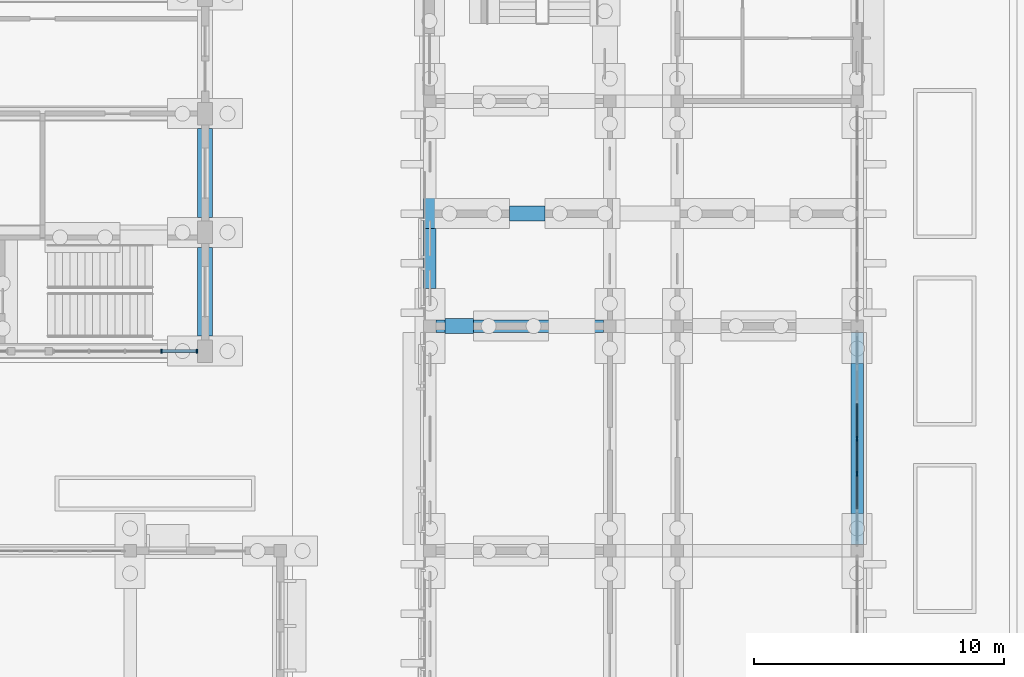
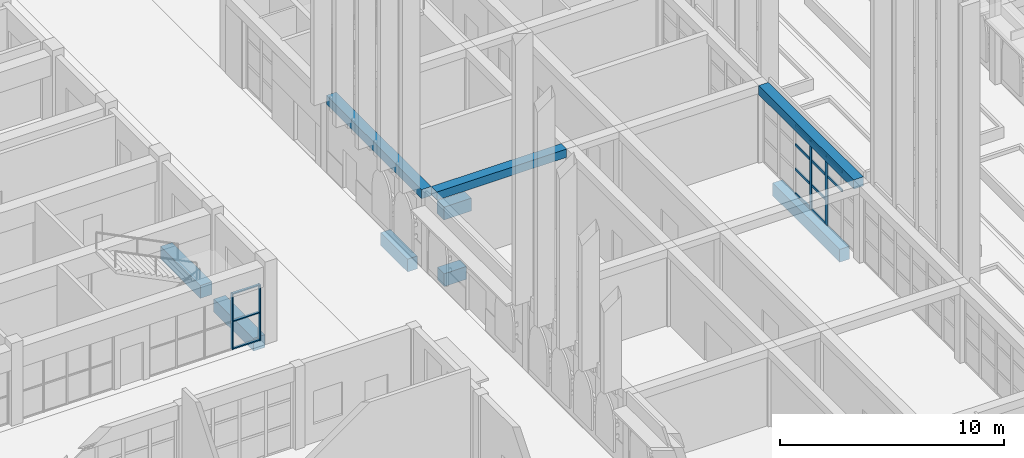
# One storey, part 25 of 161: 17 members, 9 beams, 2 elements without a shape of their own.
"""IFC4 building model written with IfcOpenShell, lengths in metres."""

from ifc_helpers import new_model, si_unit, direction, frame, origin, origin_2d, place, context, subcontext, project, spatial, rectangle, extrude, material, layer, layer_set, material_profile, profile_set, type_object, element, aggregate, save


model = new_model("IFC4")

# Units and contexts
model_context = context("Model", 3, precision=1e-05, world=origin(), true_north=direction((0.0, 1.0)))
body_context = subcontext(model_context, "Body", "Model", "MODEL_VIEW")
ifc_project = project(units=[si_unit("LENGTHUNIT", "METRE"), si_unit("AREAUNIT", "SQUARE_METRE"), si_unit("VOLUMEUNIT", "CUBIC_METRE"), si_unit("PLANEANGLEUNIT", "RADIAN"), si_unit("MASSUNIT", "GRAM", prefix="KILO")], contexts=[model_context])

# Site, building, storey
site_placement = place(None, origin())
site = spatial("IfcSite", under=ifc_project, at=site_placement, CompositionType="ELEMENT")
building_placement = place(site_placement, origin())
building = spatial("IfcBuilding", under=site, at=building_placement, Name="Elbe Cascade School", CompositionType="ELEMENT")
storey_placement = place(building_placement, origin())
storey = spatial("IfcBuildingStorey", under=building, at=storey_placement, Name="L00", CompositionType="ELEMENT", Elevation=0.0)

# Curtain wall, members
ifc_material_1 = material(Name="Aluminium frame with double glazing, bronze anodised", Category="aluminium")
ifc_layer = layer(ifc_material_1, 0.199951171875)
ifc_layer_set = layer_set([ifc_layer], Name="Aluminium frame with double glazing, bronze anodised")
curtain_wall_type_1 = type_object("IfcCurtainWallType", Name="Bars envelope Curtain wall, aluminium, bronze anodised, ground floor tall run", PredefinedType="NOTDEFINED", material=ifc_layer_set)
curtain_wall_1_placement = place(storey_placement, origin())
curtain_wall_1 = element("IfcCurtainWall", 1, at=curtain_wall_1_placement, inside=storey, type_object=curtain_wall_type_1, Name="Curtain wall CW3 A.L00.e4", PredefinedType="NOTDEFINED")
ifc_material_2 = material(Name="Aluminium mullion, bronze anodised", Category="aluminium")
ifc_material_profile_1 = material_profile(ifc_material_2, rectangle(XDim=0.06005859375, YDim=0.199951171875, at=origin_2d()), Name="Bars envelope Curtain wall mullion 60 x 200, aluminium, ground floor tall run")
ifc_profile_set_1 = profile_set([ifc_material_profile_1], Name="Aluminium mullion, bronze anodised")
member_type_1 = type_object("IfcMemberType", Name="Bars envelope Curtain wall mullion 60 x 200, aluminium, ground floor tall run", PredefinedType="MULLION", material=ifc_profile_set_1)
member_1_placement = place(storey_placement, frame((86.10009765625, 37.5, 0.0), z_axis=(0.0, 0.0, 1.0), x_axis=(1.0, 0.0, 0.0)))
member_1 = element("IfcMember", 2, at=member_1_placement, type_object=member_type_1, Name="CW3 mullion 4", PredefinedType="MULLION", context=body_context, shape_type="SweptSolid", body=[
    extrude(rectangle(XDim=0.06005859375, YDim=0.199951171875, at=origin_2d()), origin(), (0.0, 0.0, 1.0), 3.75),
])
member_2_placement = place(storey_placement, frame((86.10009765625, 36.083251953125, 0.0), z_axis=(0.0, 0.0, 1.0), x_axis=(1.0, 0.0, 0.0)))
member_2 = element("IfcMember", 3, at=member_2_placement, type_object=member_type_1, Name="CW3 mullion 5", PredefinedType="MULLION", context=body_context, shape_type="SweptSolid", body=[
    extrude(rectangle(XDim=0.06005859375, YDim=0.199951171875, at=origin_2d()), origin(), (0.0, 0.0, 1.0), 3.75),
])
ifc_material_3 = material(Name="Aluminium transom, bronze anodised", Category="aluminium")
ifc_material_profile_2 = material_profile(ifc_material_3, rectangle(XDim=0.06005859375, YDim=0.139892578125, at=origin_2d()), Name="Bars envelope Curtain wall transom 60 x 140, aluminium, ground floor tall run")
ifc_profile_set_2 = profile_set([ifc_material_profile_2], Name="Aluminium transom, bronze anodised")
member_type_2 = type_object("IfcMemberType", Name="Bars envelope Curtain wall transom 60 x 140, aluminium, ground floor tall run", PredefinedType="USERDEFINED", material=ifc_profile_set_2)
member_3_placement = place(storey_placement, frame((86.10009765625, 38.88671875, 0.030029296875), z_axis=(0.0, -1.0, 0.0), x_axis=(1.0, 0.0, 0.0)))
member_3 = element("IfcMember", 4, at=member_3_placement, type_object=member_type_2, Name="CW3 transom 3.1", ObjectType="TRANSOM", PredefinedType="USERDEFINED", context=body_context, shape_type="SweptSolid", body=[
    extrude(rectangle(XDim=0.06005859375, YDim=0.139892578125, at=origin_2d()), origin(), (0.0, 0.0, 1.0), 1.356689453125),
])
member_4_placement = place(storey_placement, frame((86.10009765625, 38.88671875, 1.35009765625), z_axis=(0.0, -1.0, 0.0), x_axis=(1.0, 0.0, 0.0)))
member_4 = element("IfcMember", 5, at=member_4_placement, type_object=member_type_2, Name="CW3 transom 3.2", ObjectType="TRANSOM", PredefinedType="USERDEFINED", context=body_context, shape_type="SweptSolid", body=[
    extrude(rectangle(XDim=0.06005859375, YDim=0.139892578125, at=origin_2d()), origin(), (0.0, 0.0, 1.0), 1.356689453125),
])
member_5_placement = place(storey_placement, frame((86.10009765625, 38.88671875, 2.699951171875), z_axis=(0.0, -1.0, 0.0), x_axis=(1.0, 0.0, 0.0)))
member_5 = element("IfcMember", 6, at=member_5_placement, type_object=member_type_2, Name="CW3 transom 3.3", ObjectType="TRANSOM", PredefinedType="USERDEFINED", context=body_context, shape_type="SweptSolid", body=[
    extrude(rectangle(XDim=0.06005859375, YDim=0.139892578125, at=origin_2d()), origin(), (0.0, 0.0, 1.0), 1.356689453125),
])
member_6_placement = place(storey_placement, frame((86.10009765625, 38.88671875, 3.719970703125), z_axis=(0.0, -1.0, 0.0), x_axis=(1.0, 0.0, 0.0)))
member_6 = element("IfcMember", 7, at=member_6_placement, type_object=member_type_2, Name="CW3 transom 3.4", ObjectType="TRANSOM", PredefinedType="USERDEFINED", context=body_context, shape_type="SweptSolid", body=[
    extrude(rectangle(XDim=0.06005859375, YDim=0.139892578125, at=origin_2d()), origin(), (0.0, 0.0, 1.0), 1.356689453125),
])
member_7_placement = place(storey_placement, frame((86.10009765625, 37.469970703125, 0.030029296875), z_axis=(0.0, -1.0, 0.0), x_axis=(1.0, 0.0, 0.0)))
member_7 = element("IfcMember", 8, at=member_7_placement, type_object=member_type_2, Name="CW3 transom 4.1", ObjectType="TRANSOM", PredefinedType="USERDEFINED", context=body_context, shape_type="SweptSolid", body=[
    extrude(rectangle(XDim=0.06005859375, YDim=0.139892578125, at=origin_2d()), origin(), (0.0, 0.0, 1.0), 1.356689453125),
])
member_8_placement = place(storey_placement, frame((86.10009765625, 37.469970703125, 1.35009765625), z_axis=(0.0, -1.0, 0.0), x_axis=(1.0, 0.0, 0.0)))
member_8 = element("IfcMember", 9, at=member_8_placement, type_object=member_type_2, Name="CW3 transom 4.2", ObjectType="TRANSOM", PredefinedType="USERDEFINED", context=body_context, shape_type="SweptSolid", body=[
    extrude(rectangle(XDim=0.06005859375, YDim=0.139892578125, at=origin_2d()), origin(), (0.0, 0.0, 1.0), 1.356689453125),
])
member_9_placement = place(storey_placement, frame((86.10009765625, 37.469970703125, 2.699951171875), z_axis=(0.0, -1.0, 0.0), x_axis=(1.0, 0.0, 0.0)))
member_9 = element("IfcMember", 10, at=member_9_placement, type_object=member_type_2, Name="CW3 transom 4.3", ObjectType="TRANSOM", PredefinedType="USERDEFINED", context=body_context, shape_type="SweptSolid", body=[
    extrude(rectangle(XDim=0.06005859375, YDim=0.139892578125, at=origin_2d()), origin(), (0.0, 0.0, 1.0), 1.356689453125),
])
member_10_placement = place(storey_placement, frame((86.10009765625, 37.469970703125, 3.719970703125), z_axis=(0.0, -1.0, 0.0), x_axis=(1.0, 0.0, 0.0)))
member_10 = element("IfcMember", 11, at=member_10_placement, type_object=member_type_2, Name="CW3 transom 4.4", ObjectType="TRANSOM", PredefinedType="USERDEFINED", context=body_context, shape_type="SweptSolid", body=[
    extrude(rectangle(XDim=0.06005859375, YDim=0.139892578125, at=origin_2d()), origin(), (0.0, 0.0, 1.0), 1.356689453125),
])
member_11_placement = place(storey_placement, frame((86.10009765625, 36.05322265625, 2.699951171875), z_axis=(0.0, -1.0, 0.0), x_axis=(1.0, 0.0, 0.0)))
member_11 = element("IfcMember", 12, at=member_11_placement, type_object=member_type_2, Name="CW3 transom 5.3", ObjectType="TRANSOM", PredefinedType="USERDEFINED", context=body_context, shape_type="SweptSolid", body=[
    extrude(rectangle(XDim=0.06005859375, YDim=0.139892578125, at=origin_2d()), origin(), (0.0, 0.0, 1.0), 1.3564453125),
])
member_12_placement = place(storey_placement, frame((86.10009765625, 36.05322265625, 3.719970703125), z_axis=(0.0, -1.0, 0.0), x_axis=(1.0, 0.0, 0.0)))
member_12 = element("IfcMember", 13, at=member_12_placement, type_object=member_type_2, Name="CW3 transom 5.4", ObjectType="TRANSOM", PredefinedType="USERDEFINED", context=body_context, shape_type="SweptSolid", body=[
    extrude(rectangle(XDim=0.06005859375, YDim=0.139892578125, at=origin_2d()), origin(), (0.0, 0.0, 1.0), 1.3564453125),
])
aggregate(curtain_wall_1, [member_1, member_2, member_3, member_4, member_5, member_6, member_7, member_8, member_9, member_10, member_11, member_12])

# Beams
ifc_material_4 = material(Name="Concrete C30/37", Category="concrete")
ifc_material_profile_3 = material_profile(ifc_material_4, rectangle(XDim=0.5, YDim=0.699951171875, at=origin_2d()), Name="RC 500x700")
ifc_profile_set_3 = profile_set([ifc_material_profile_3], Name="Concrete C30/37")
beam_type_1 = type_object("IfcBeamType", Name="Found ground beam RC 500x700", PredefinedType="BEAM", material=ifc_profile_set_3)
beam_1_placement = place(storey_placement, frame((69.0, 43.5, -0.64990234375), z_axis=(0.0, 1.0, 0.0), x_axis=(-1.0, 0.0, 0.0)))
element("IfcBeam", 14, at=beam_1_placement, inside=storey, type_object=beam_type_1, Name="Ground beam 189", PredefinedType="BEAM", context=body_context, shape_type="SweptSolid", body=[
    extrude(rectangle(XDim=0.5, YDim=0.699951171875, at=origin_2d()), origin(), (0.0, 0.0, 1.0), 2.39990234375),
])
beam_2_placement = place(storey_placement, frame((86.10009765625, 34.5, -0.64990234375), z_axis=(0.0, 1.0, 0.0), x_axis=(-1.0, 0.0, 0.0)))
element("IfcBeam", 15, at=beam_2_placement, inside=storey, type_object=beam_type_1, Name="Ground beam 206", PredefinedType="BEAM", context=body_context, shape_type="SweptSolid", body=[
    extrude(rectangle(XDim=0.5, YDim=0.699951171875, at=origin_2d()), origin(), (0.0, 0.0, 1.0), 6.0),
])
ifc_material_5 = material(Name="Concrete C30/37", Category="concrete")
ifc_material_profile_4 = material_profile(ifc_material_5, rectangle(XDim=0.60009765625, YDim=0.699951171875, at=origin_2d()), Name="RC 600x700")
ifc_profile_set_4 = profile_set([ifc_material_profile_4], Name="Concrete C30/37")
beam_type_2 = type_object("IfcBeamType", Name="Found ground beam RC 600x700", PredefinedType="BEAM", material=ifc_profile_set_4)
for number, where, z_axis, x_axis, name in (
    (16, (60.0, 41.60009765625, -0.64990234375), (0.0, 1.0, 0.0), (-1.0, 0.0, 0.0), "Ground beam 090"),
    (17, (60.0, 46.35009765625, -0.64990234375), (0.0, 1.0, 0.0), (-1.0, 0.0, 0.0), "Ground beam 091"),
):
    element("IfcBeam", number, at=place(storey_placement, frame(where, z_axis=z_axis, x_axis=x_axis)), inside=storey, type_object=beam_type_2, Name=name, PredefinedType="BEAM", context=body_context, shape_type="SweptSolid", body=[
        extrude(rectangle(XDim=0.60009765625, YDim=0.699951171875, at=origin_2d()), origin(), (0.0, 0.0, 1.0), 3.5498046875),
    ])
beam_3_placement = place(storey_placement, frame((72.179931640625, 46.5, -0.64990234375), z_axis=(1.0, 0.0, 0.0), x_axis=(0.0, 1.0, 0.0)))
element("IfcBeam", 18, at=beam_3_placement, inside=storey, type_object=beam_type_2, Name="Ground beam 125", PredefinedType="BEAM", context=body_context, shape_type="SweptSolid", body=[
    extrude(rectangle(XDim=0.60009765625, YDim=0.699951171875, at=origin_2d()), origin(), (0.0, 0.0, 1.0), 1.420166015625),
])
beam_4_placement = place(storey_placement, frame((69.60009765625, 42.0, -0.64990234375), z_axis=(1.0, 0.0, 0.0), x_axis=(0.0, 1.0, 0.0)))
element("IfcBeam", 19, at=beam_4_placement, inside=storey, type_object=beam_type_2, Name="Ground beam 128", PredefinedType="BEAM", context=body_context, shape_type="SweptSolid", body=[
    extrude(rectangle(XDim=0.60009765625, YDim=0.699951171875, at=origin_2d()), origin(), (0.0, 0.0, 1.0), 1.14990234375),
])

# Curtain wall, members
ifc_material_6 = material(Name="Glass - double glazed low-E", Category="glass")
curtain_wall_type_2 = type_object("IfcCurtainWallType", Name="Hall gable curtain wall", PredefinedType="NOTDEFINED", material=ifc_material_6)
curtain_wall_2_placement = place(storey_placement, origin())
curtain_wall_2 = element("IfcCurtainWall", 20, at=curtain_wall_2_placement, inside=storey, type_object=curtain_wall_type_2, Name="Entrance front curtain wall 8", PredefinedType="NOTDEFINED")
ifc_material_7 = material(Name="Aluminium - bronze anodised", Category="aluminium")
ifc_material_profile_5 = material_profile(ifc_material_7, rectangle(XDim=0.159912109375, YDim=0.06005859375, at=origin_2d()), Name="Alu 60x160")
ifc_profile_set_5 = profile_set([ifc_material_profile_5], Name="Aluminium - bronze anodised")
member_type_3 = type_object("IfcMemberType", Name="Hall gable mullion 60x160", PredefinedType="MULLION", material=ifc_profile_set_5)
member_13_placement = place(storey_placement, frame((58.25, 41.0, 0.0), z_axis=(0.0, 0.0, 1.0), x_axis=(0.0, 1.0, 0.0)))
member_13 = element("IfcMember", 21, at=member_13_placement, type_object=member_type_3, Name="CW6 mullion 4", PredefinedType="MULLION", context=body_context, shape_type="SweptSolid", body=[
    extrude(rectangle(XDim=0.159912109375, YDim=0.06005859375, at=origin_2d()), origin(), (0.0, 0.0, 1.0), 3.050048828125),
])
member_14_placement = place(storey_placement, frame((59.669921875, 41.0, 0.0), z_axis=(0.0, 0.0, 1.0), x_axis=(0.0, 1.0, 0.0)))
member_14 = element("IfcMember", 22, at=member_14_placement, type_object=member_type_3, Name="CW6 mullion 5", PredefinedType="MULLION", context=body_context, shape_type="SweptSolid", body=[
    extrude(rectangle(XDim=0.159912109375, YDim=0.06005859375, at=origin_2d()), origin(), (0.0, 0.0, 1.0), 3.050048828125),
])
ifc_material_8 = material(Name="Aluminium - bronze anodised", Category="aluminium")
ifc_material_profile_6 = material_profile(ifc_material_8, rectangle(XDim=0.1201171875, YDim=0.06005859375, at=origin_2d()), Name="Alu 60x120")
ifc_profile_set_6 = profile_set([ifc_material_profile_6], Name="Aluminium - bronze anodised")
member_type_4 = type_object("IfcMemberType", Name="Hall gable transom 60x120", PredefinedType="USERDEFINED", material=ifc_profile_set_6)
member_15_placement = place(storey_placement, frame((58.280029296875, 41.0, 0.030029296875), z_axis=(1.0, 0.0, 0.0), x_axis=(0.0, 1.0, 0.0)))
member_15 = element("IfcMember", 23, at=member_15_placement, type_object=member_type_4, Name="CW6 transom 4.1", ObjectType="TRANSOM", PredefinedType="USERDEFINED", context=body_context, shape_type="SweptSolid", body=[
    extrude(rectangle(XDim=0.1201171875, YDim=0.06005859375, at=origin_2d()), origin(), (0.0, 0.0, 1.0), 1.35986328125),
])
member_16_placement = place(storey_placement, frame((58.280029296875, 41.0, 1.52490234375), z_axis=(1.0, 0.0, 0.0), x_axis=(0.0, 1.0, 0.0)))
member_16 = element("IfcMember", 24, at=member_16_placement, type_object=member_type_4, Name="CW6 transom 4.2", ObjectType="TRANSOM", PredefinedType="USERDEFINED", context=body_context, shape_type="SweptSolid", body=[
    extrude(rectangle(XDim=0.1201171875, YDim=0.06005859375, at=origin_2d()), origin(), (0.0, 0.0, 1.0), 1.35986328125),
])
member_17_placement = place(storey_placement, frame((58.280029296875, 41.0, 3.02001953125), z_axis=(1.0, 0.0, 0.0), x_axis=(0.0, 1.0, 0.0)))
member_17 = element("IfcMember", 25, at=member_17_placement, type_object=member_type_4, Name="CW6 transom 4.3", ObjectType="TRANSOM", PredefinedType="USERDEFINED", context=body_context, shape_type="SweptSolid", body=[
    extrude(rectangle(XDim=0.1201171875, YDim=0.06005859375, at=origin_2d()), origin(), (0.0, 0.0, 1.0), 1.35986328125),
])
aggregate(curtain_wall_2, [member_13, member_14, member_15, member_16, member_17])

# Beams
ifc_material_9 = material(Name="Concrete C30/37", Category="concrete")
ifc_material_profile_7 = material_profile(ifc_material_9, rectangle(XDim=0.5, YDim=0.449951171875, at=origin_2d()), Name="RC 500x450")
ifc_profile_set_7 = profile_set([ifc_material_profile_7], Name="Concrete C30/37")
beam_type_3 = type_object("IfcBeamType", Name="RC 500x450 beam", PredefinedType="BEAM", material=ifc_profile_set_7)
beam_5_placement = place(storey_placement, frame((69.25, 42.0, 4.02490234375), z_axis=(1.0, 0.0, 0.0), x_axis=(0.0, 1.0, 0.0)))
element("IfcBeam", 26, at=beam_5_placement, inside=storey, type_object=beam_type_3, Name="RC 500x450 beam B7", PredefinedType="BEAM", context=body_context, shape_type="SweptSolid", body=[
    extrude(rectangle(XDim=0.5, YDim=0.449951171875, at=origin_2d()), origin(), (0.0, 0.0, 1.0), 6.699951171875),
])
ifc_material_10 = material(Name="Concrete C30/37", Category="concrete")
ifc_material_profile_8 = material_profile(ifc_material_10, rectangle(XDim=0.5, YDim=0.5, at=origin_2d()), Name="RC 500x500")
ifc_profile_set_8 = profile_set([ifc_material_profile_8], Name="Concrete C30/37")
beam_type_4 = type_object("IfcBeamType", Name="RC 500x500 beam", PredefinedType="BEAM", material=ifc_profile_set_8)
for number, where, z_axis, x_axis, name in (
    (27, (69.0, 42.25, 4.0), (0.0, 1.0, 0.0), (-1.0, 0.0, 0.0), "RC 500x500 beam B6"),
    (28, (86.10009765625, 33.25, 4.0), (0.0, 1.0, 0.0), (-1.0, 0.0, 0.0), "RC 500x500 beam B6"),
):
    element("IfcBeam", number, at=place(storey_placement, frame(where, z_axis=z_axis, x_axis=x_axis)), inside=storey, type_object=beam_type_4, Name=name, PredefinedType="BEAM", context=body_context, shape_type="SweptSolid", body=[
        extrude(rectangle(XDim=0.5, YDim=0.5, at=origin_2d()), origin(), (0.0, 0.0, 1.0), 8.5),
    ])

save(model, "model.ifc")
